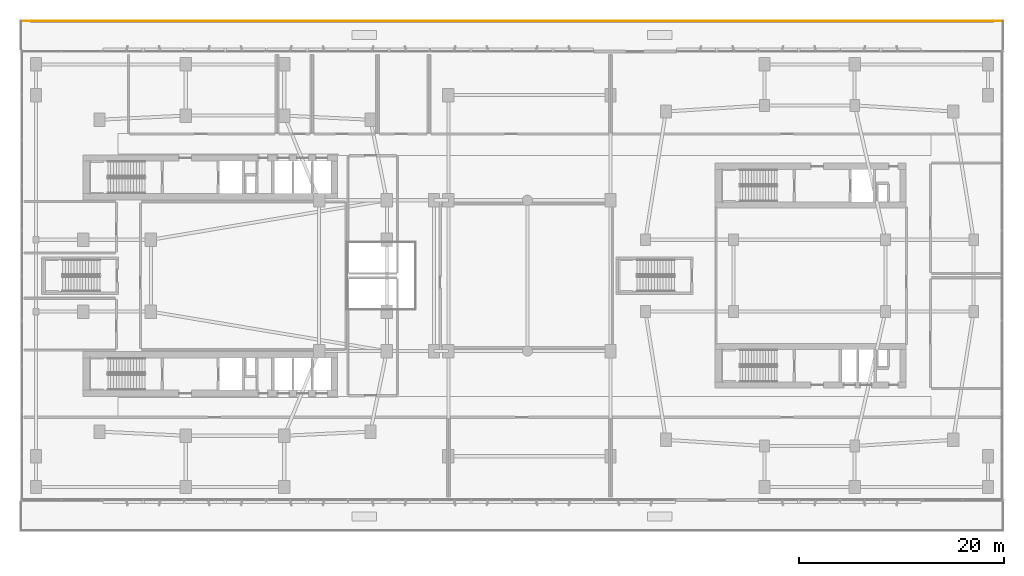
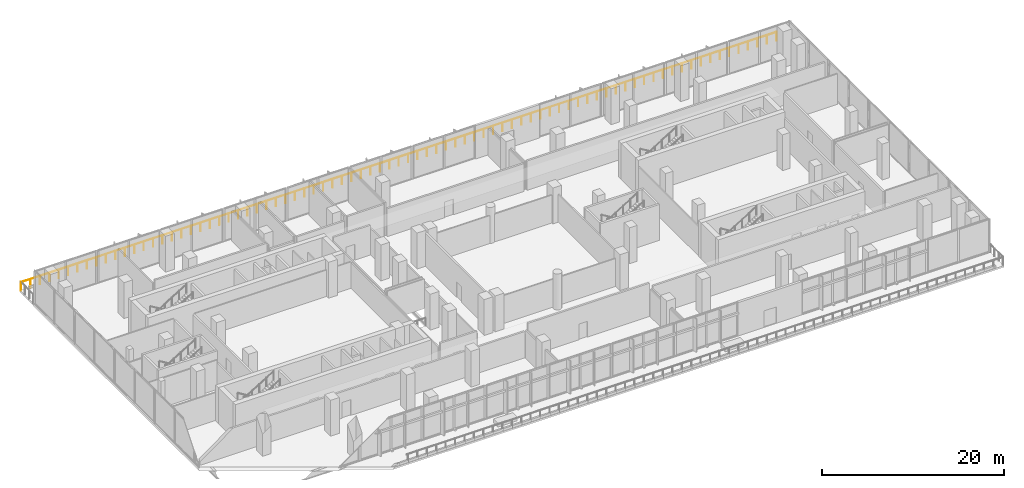
# One storey, part 27 of 30: 1 railing.
"""IFC4 building model written with IfcOpenShell, lengths in metres."""

from ifc_helpers import new_model, si_unit, derived_unit, direction, frame, origin, origin_2d, place, context, subcontext, project, spatial, circle, extrude, material, type_object, element, save


model = new_model("IFC4")

# Units and contexts
model_context = context("Model", 3, precision=1e-05, world=origin(), true_north=direction((0.0, 1.0)))
body_context = subcontext(model_context, "Body", "Model", "MODEL_VIEW")
ifc_project = project(units=[si_unit("LENGTHUNIT", "METRE"), si_unit("AREAUNIT", "SQUARE_METRE"), si_unit("VOLUMEUNIT", "CUBIC_METRE"), si_unit("PLANEANGLEUNIT", "RADIAN"), si_unit("MASSUNIT", "GRAM", prefix="KILO"), derived_unit("THERMALTRANSMITTANCEUNIT", [(si_unit("POWERUNIT", "WATT"), 1), (si_unit("LENGTHUNIT", "METRE"), -2), (si_unit("THERMODYNAMICTEMPERATUREUNIT", "KELVIN"), -1)])], contexts=[model_context])

# Site, building, storey
site_placement = place(None, origin())
site = spatial("IfcSite", under=ifc_project, at=site_placement, CompositionType="ELEMENT")
building_placement = place(site_placement, origin())
building = spatial("IfcBuilding", under=site, at=building_placement, Name="Kivonza Crest Hotel", CompositionType="ELEMENT")
storey_placement = place(building_placement, frame((0.0, 0.0, 10.199951171875)))
storey = spatial("IfcBuildingStorey", under=building, at=storey_placement, Name="L02", CompositionType="ELEMENT", Elevation=10.199951171875)

# Railing
ifc_material = material(Name="Laminated glass and stainless steel balustrade", Category="steel")
railing_type = type_object("IfcRailingType", Name="RL-TERR-1150", PredefinedType="BALUSTRADE", material=ifc_material)
railing_placement = place(storey_placement, frame((0.159912109375, 49.840087890625, 0.0)))
element("IfcRailing", 1, at=railing_placement, inside=storey, type_object=railing_type, Name="L02 POD-L02-T2 perimeter safety balustrade 2", PredefinedType="BALUSTRADE", context=body_context, shape_type="SweptSolid", body=[
    extrude(circle(Radius=0.02392578125, at=origin_2d()), frame((0.0, 0.0, 1.1259765625), z_axis=(1.0, 0.0, 0.0), x_axis=(0.0, 1.0, 0.0)), (0.0, 0.0, 1.0), 95.68017578125),
    extrude(circle(Radius=0.02099609375, at=origin_2d()), origin(), (0.0, 0.0, 1.0), 1.101806640625),
    extrude(circle(Radius=0.02099609375, at=origin_2d()), frame((1.196044921875, 0.0, 0.0)), (0.0, 0.0, 1.0), 1.101806640625),
    extrude(circle(Radius=0.02099609375, at=origin_2d()), frame((2.39208984375, 0.0, 0.0)), (0.0, 0.0, 1.0), 1.101806640625),
    extrude(circle(Radius=0.02099609375, at=origin_2d()), frame((3.587890625, 0.0, 0.0)), (0.0, 0.0, 1.0), 1.101806640625),
    extrude(circle(Radius=0.02099609375, at=origin_2d()), frame((4.783935546875, 0.0, 0.0)), (0.0, 0.0, 1.0), 1.101806640625),
    extrude(circle(Radius=0.02099609375, at=origin_2d()), frame((5.97998046875, 0.0, 0.0)), (0.0, 0.0, 1.0), 1.101806640625),
    extrude(circle(Radius=0.02099609375, at=origin_2d()), frame((7.176025390625, 0.0, 0.0)), (0.0, 0.0, 1.0), 1.101806640625),
    extrude(circle(Radius=0.02099609375, at=origin_2d()), frame((8.3720703125, 0.0, 0.0)), (0.0, 0.0, 1.0), 1.101806640625),
    extrude(circle(Radius=0.02099609375, at=origin_2d()), frame((9.568115234375, 0.0, 0.0)), (0.0, 0.0, 1.0), 1.101806640625),
    extrude(circle(Radius=0.02099609375, at=origin_2d()), frame((10.763916015625, 0.0, 0.0)), (0.0, 0.0, 1.0), 1.101806640625),
    extrude(circle(Radius=0.02099609375, at=origin_2d()), frame((11.9599609375, 0.0, 0.0)), (0.0, 0.0, 1.0), 1.101806640625),
    extrude(circle(Radius=0.02099609375, at=origin_2d()), frame((13.156005859375, 0.0, 0.0)), (0.0, 0.0, 1.0), 1.101806640625),
    extrude(circle(Radius=0.02099609375, at=origin_2d()), frame((14.35205078125, 0.0, 0.0)), (0.0, 0.0, 1.0), 1.101806640625),
    extrude(circle(Radius=0.02099609375, at=origin_2d()), frame((15.548095703125, 0.0, 0.0)), (0.0, 0.0, 1.0), 1.101806640625),
    extrude(circle(Radius=0.02099609375, at=origin_2d()), frame((16.744140625, 0.0, 0.0)), (0.0, 0.0, 1.0), 1.101806640625),
    extrude(circle(Radius=0.02099609375, at=origin_2d()), frame((17.93994140625, 0.0, 0.0)), (0.0, 0.0, 1.0), 1.101806640625),
    extrude(circle(Radius=0.02099609375, at=origin_2d()), frame((19.135986328125, 0.0, 0.0)), (0.0, 0.0, 1.0), 1.101806640625),
    extrude(circle(Radius=0.02099609375, at=origin_2d()), frame((20.33203125, 0.0, 0.0)), (0.0, 0.0, 1.0), 1.101806640625),
    extrude(circle(Radius=0.02099609375, at=origin_2d()), frame((21.528076171875, 0.0, 0.0)), (0.0, 0.0, 1.0), 1.101806640625),
    extrude(circle(Radius=0.02099609375, at=origin_2d()), frame((22.72412109375, 0.0, 0.0)), (0.0, 0.0, 1.0), 1.101806640625),
    extrude(circle(Radius=0.02099609375, at=origin_2d()), frame((23.919921875, 0.0, 0.0)), (0.0, 0.0, 1.0), 1.101806640625),
    extrude(circle(Radius=0.02099609375, at=origin_2d()), frame((25.115966796875, 0.0, 0.0)), (0.0, 0.0, 1.0), 1.101806640625),
    extrude(circle(Radius=0.02099609375, at=origin_2d()), frame((26.31201171875, 0.0, 0.0)), (0.0, 0.0, 1.0), 1.101806640625),
    extrude(circle(Radius=0.02099609375, at=origin_2d()), frame((27.508056640625, 0.0, 0.0)), (0.0, 0.0, 1.0), 1.101806640625),
    extrude(circle(Radius=0.02099609375, at=origin_2d()), frame((28.7041015625, 0.0, 0.0)), (0.0, 0.0, 1.0), 1.101806640625),
    extrude(circle(Radius=0.02099609375, at=origin_2d()), frame((29.900146484375, 0.0, 0.0)), (0.0, 0.0, 1.0), 1.101806640625),
    extrude(circle(Radius=0.02099609375, at=origin_2d()), frame((31.095947265625, 0.0, 0.0)), (0.0, 0.0, 1.0), 1.101806640625),
    extrude(circle(Radius=0.02099609375, at=origin_2d()), frame((32.2919921875, 0.0, 0.0)), (0.0, 0.0, 1.0), 1.101806640625),
    extrude(circle(Radius=0.02099609375, at=origin_2d()), frame((33.488037109375, 0.0, 0.0)), (0.0, 0.0, 1.0), 1.101806640625),
    extrude(circle(Radius=0.02099609375, at=origin_2d()), frame((34.68408203125, 0.0, 0.0)), (0.0, 0.0, 1.0), 1.101806640625),
    extrude(circle(Radius=0.02099609375, at=origin_2d()), frame((35.880126953125, 0.0, 0.0)), (0.0, 0.0, 1.0), 1.101806640625),
    extrude(circle(Radius=0.02099609375, at=origin_2d()), frame((37.076171875, 0.0, 0.0)), (0.0, 0.0, 1.0), 1.101806640625),
    extrude(circle(Radius=0.02099609375, at=origin_2d()), frame((38.27197265625, 0.0, 0.0)), (0.0, 0.0, 1.0), 1.101806640625),
    extrude(circle(Radius=0.02099609375, at=origin_2d()), frame((39.468017578125, 0.0, 0.0)), (0.0, 0.0, 1.0), 1.101806640625),
    extrude(circle(Radius=0.02099609375, at=origin_2d()), frame((40.6640625, 0.0, 0.0)), (0.0, 0.0, 1.0), 1.101806640625),
    extrude(circle(Radius=0.02099609375, at=origin_2d()), frame((41.860107421875, 0.0, 0.0)), (0.0, 0.0, 1.0), 1.101806640625),
    extrude(circle(Radius=0.02099609375, at=origin_2d()), frame((43.05615234375, 0.0, 0.0)), (0.0, 0.0, 1.0), 1.101806640625),
    extrude(circle(Radius=0.02099609375, at=origin_2d()), frame((44.252197265625, 0.0, 0.0)), (0.0, 0.0, 1.0), 1.101806640625),
    extrude(circle(Radius=0.02099609375, at=origin_2d()), frame((45.447998046875, 0.0, 0.0)), (0.0, 0.0, 1.0), 1.101806640625),
    extrude(circle(Radius=0.02099609375, at=origin_2d()), frame((46.64404296875, 0.0, 0.0)), (0.0, 0.0, 1.0), 1.101806640625),
    extrude(circle(Radius=0.02099609375, at=origin_2d()), frame((47.840087890625, 0.0, 0.0)), (0.0, 0.0, 1.0), 1.101806640625),
    extrude(circle(Radius=0.02099609375, at=origin_2d()), frame((49.0361328125, 0.0, 0.0)), (0.0, 0.0, 1.0), 1.101806640625),
    extrude(circle(Radius=0.02099609375, at=origin_2d()), frame((50.232177734375, 0.0, 0.0)), (0.0, 0.0, 1.0), 1.101806640625),
    extrude(circle(Radius=0.02099609375, at=origin_2d()), frame((51.427978515625, 0.0, 0.0)), (0.0, 0.0, 1.0), 1.101806640625),
    extrude(circle(Radius=0.02099609375, at=origin_2d()), frame((52.6240234375, 0.0, 0.0)), (0.0, 0.0, 1.0), 1.101806640625),
    extrude(circle(Radius=0.02099609375, at=origin_2d()), frame((53.820068359375, 0.0, 0.0)), (0.0, 0.0, 1.0), 1.101806640625),
    extrude(circle(Radius=0.02099609375, at=origin_2d()), frame((55.01611328125, 0.0, 0.0)), (0.0, 0.0, 1.0), 1.101806640625),
    extrude(circle(Radius=0.02099609375, at=origin_2d()), frame((56.212158203125, 0.0, 0.0)), (0.0, 0.0, 1.0), 1.101806640625),
    extrude(circle(Radius=0.02099609375, at=origin_2d()), frame((57.408203125, 0.0, 0.0)), (0.0, 0.0, 1.0), 1.101806640625),
    extrude(circle(Radius=0.02099609375, at=origin_2d()), frame((58.60400390625, 0.0, 0.0)), (0.0, 0.0, 1.0), 1.101806640625),
    extrude(circle(Radius=0.02099609375, at=origin_2d()), frame((59.800048828125, 0.0, 0.0)), (0.0, 0.0, 1.0), 1.101806640625),
    extrude(circle(Radius=0.02099609375, at=origin_2d()), frame((60.99609375, 0.0, 0.0)), (0.0, 0.0, 1.0), 1.101806640625),
    extrude(circle(Radius=0.02099609375, at=origin_2d()), frame((62.192138671875, 0.0, 0.0)), (0.0, 0.0, 1.0), 1.101806640625),
    extrude(circle(Radius=0.02099609375, at=origin_2d()), frame((63.38818359375, 0.0, 0.0)), (0.0, 0.0, 1.0), 1.101806640625),
    extrude(circle(Radius=0.02099609375, at=origin_2d()), frame((64.584228515625, 0.0, 0.0)), (0.0, 0.0, 1.0), 1.101806640625),
    extrude(circle(Radius=0.02099609375, at=origin_2d()), frame((65.780029296875, 0.0, 0.0)), (0.0, 0.0, 1.0), 1.101806640625),
    extrude(circle(Radius=0.02099609375, at=origin_2d()), frame((66.97607421875, 0.0, 0.0)), (0.0, 0.0, 1.0), 1.101806640625),
    extrude(circle(Radius=0.02099609375, at=origin_2d()), frame((68.172119140625, 0.0, 0.0)), (0.0, 0.0, 1.0), 1.101806640625),
    extrude(circle(Radius=0.02099609375, at=origin_2d()), frame((69.3681640625, 0.0, 0.0)), (0.0, 0.0, 1.0), 1.101806640625),
    extrude(circle(Radius=0.02099609375, at=origin_2d()), frame((70.564208984375, 0.0, 0.0)), (0.0, 0.0, 1.0), 1.101806640625),
    extrude(circle(Radius=0.02099609375, at=origin_2d()), frame((71.76025390625, 0.0, 0.0)), (0.0, 0.0, 1.0), 1.101806640625),
    extrude(circle(Radius=0.02099609375, at=origin_2d()), frame((72.9560546875, 0.0, 0.0)), (0.0, 0.0, 1.0), 1.101806640625),
    extrude(circle(Radius=0.02099609375, at=origin_2d()), frame((74.152099609375, 0.0, 0.0)), (0.0, 0.0, 1.0), 1.101806640625),
    extrude(circle(Radius=0.02099609375, at=origin_2d()), frame((75.34814453125, 0.0, 0.0)), (0.0, 0.0, 1.0), 1.101806640625),
    extrude(circle(Radius=0.02099609375, at=origin_2d()), frame((76.544189453125, 0.0, 0.0)), (0.0, 0.0, 1.0), 1.101806640625),
    extrude(circle(Radius=0.02099609375, at=origin_2d()), frame((77.740234375, 0.0, 0.0)), (0.0, 0.0, 1.0), 1.101806640625),
    extrude(circle(Radius=0.02099609375, at=origin_2d()), frame((78.93603515625, 0.0, 0.0)), (0.0, 0.0, 1.0), 1.101806640625),
    extrude(circle(Radius=0.02099609375, at=origin_2d()), frame((80.132080078125, 0.0, 0.0)), (0.0, 0.0, 1.0), 1.101806640625),
    extrude(circle(Radius=0.02099609375, at=origin_2d()), frame((81.328125, 0.0, 0.0)), (0.0, 0.0, 1.0), 1.101806640625),
    extrude(circle(Radius=0.02099609375, at=origin_2d()), frame((82.524169921875, 0.0, 0.0)), (0.0, 0.0, 1.0), 1.101806640625),
    extrude(circle(Radius=0.02099609375, at=origin_2d()), frame((83.72021484375, 0.0, 0.0)), (0.0, 0.0, 1.0), 1.101806640625),
    extrude(circle(Radius=0.02099609375, at=origin_2d()), frame((84.916259765625, 0.0, 0.0)), (0.0, 0.0, 1.0), 1.101806640625),
    extrude(circle(Radius=0.02099609375, at=origin_2d()), frame((86.112060546875, 0.0, 0.0)), (0.0, 0.0, 1.0), 1.101806640625),
    extrude(circle(Radius=0.02099609375, at=origin_2d()), frame((87.30810546875, 0.0, 0.0)), (0.0, 0.0, 1.0), 1.101806640625),
    extrude(circle(Radius=0.02099609375, at=origin_2d()), frame((88.504150390625, 0.0, 0.0)), (0.0, 0.0, 1.0), 1.101806640625),
    extrude(circle(Radius=0.02099609375, at=origin_2d()), frame((89.7001953125, 0.0, 0.0)), (0.0, 0.0, 1.0), 1.101806640625),
    extrude(circle(Radius=0.02099609375, at=origin_2d()), frame((90.896240234375, 0.0, 0.0)), (0.0, 0.0, 1.0), 1.101806640625),
    extrude(circle(Radius=0.02099609375, at=origin_2d()), frame((92.09228515625, 0.0, 0.0)), (0.0, 0.0, 1.0), 1.101806640625),
    extrude(circle(Radius=0.02099609375, at=origin_2d()), frame((93.2880859375, 0.0, 0.0)), (0.0, 0.0, 1.0), 1.101806640625),
    extrude(circle(Radius=0.02099609375, at=origin_2d()), frame((94.484130859375, 0.0, 0.0)), (0.0, 0.0, 1.0), 1.101806640625),
    extrude(circle(Radius=0.02099609375, at=origin_2d()), frame((95.68017578125, 0.0, 0.0)), (0.0, 0.0, 1.0), 1.101806640625),
])

save(model, "model.ifc")
